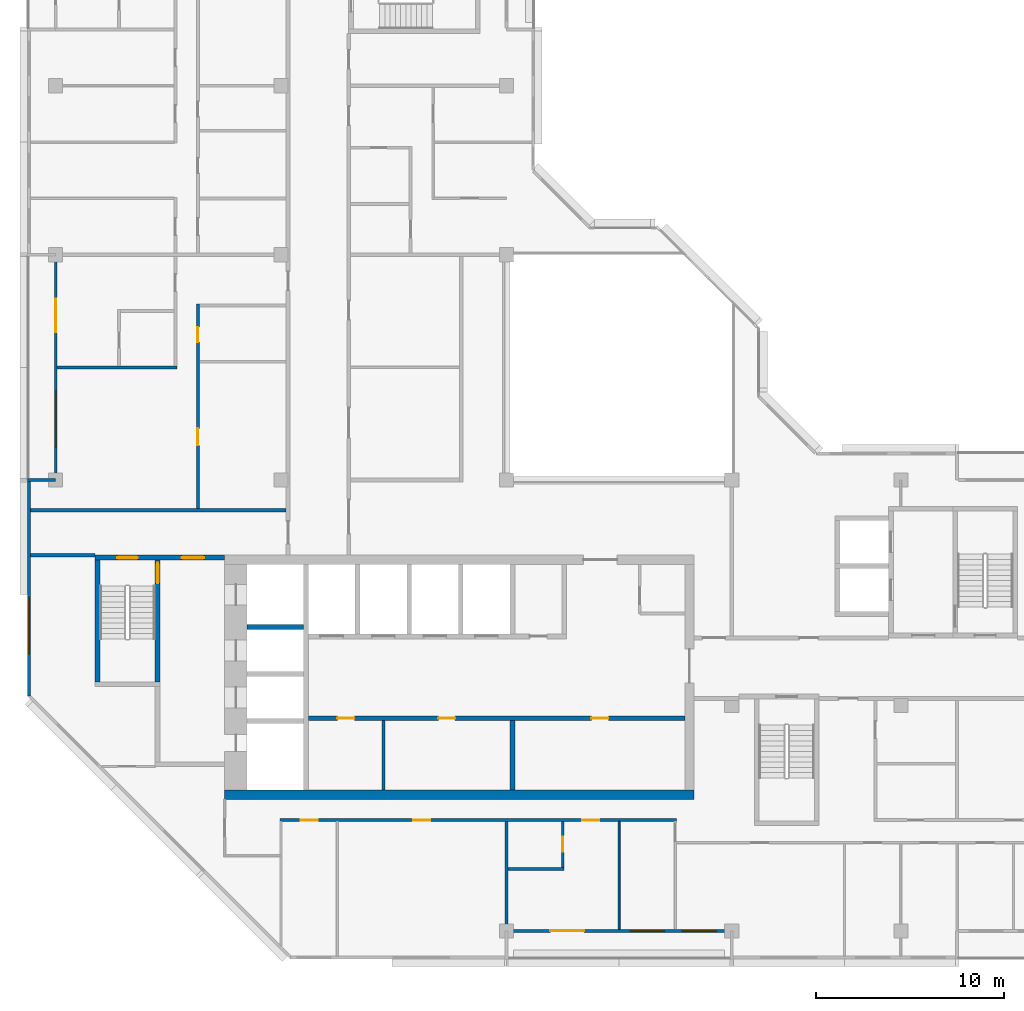
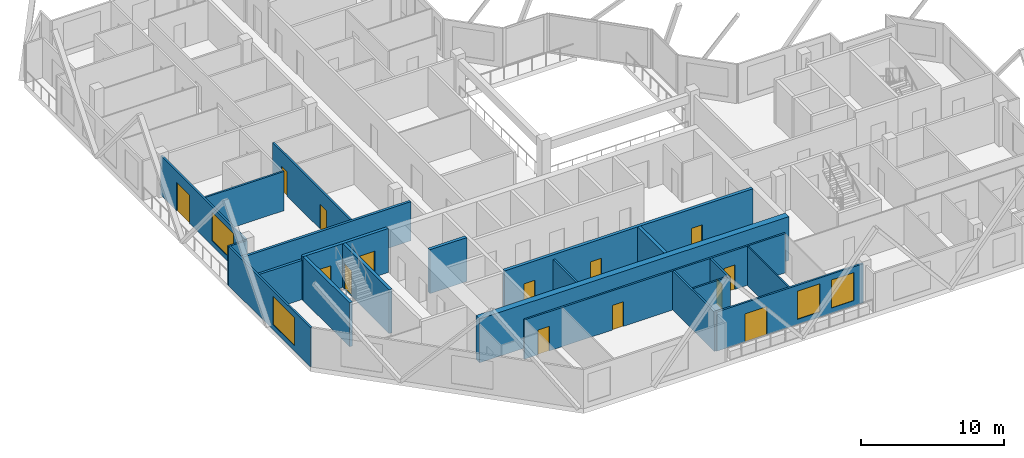
# One storey, part 4 of 12: 21 walls, 14 doors, 4 windows, 18 openings.
"""IFC4 building model written with IfcOpenShell, lengths in metres."""

from ifc_helpers import new_model, si_unit, direction, frame, frame_2d, origin, place, context, subcontext, project, spatial, rectangle, extrude, material, layer, layer_set, type_object, element, fill, save


model = new_model("IFC4")

# Units and contexts
model_context = context("Model", 3, precision=1e-05, world=origin(), true_north=direction((0.0, 1.0)))
body_context = subcontext(model_context, "Body", "Model", "MODEL_VIEW")
ifc_project = project(units=[si_unit("LENGTHUNIT", "METRE"), si_unit("AREAUNIT", "SQUARE_METRE"), si_unit("VOLUMEUNIT", "CUBIC_METRE"), si_unit("PLANEANGLEUNIT", "RADIAN"), si_unit("MASSUNIT", "GRAM", prefix="KILO")], contexts=[model_context])

# Site, building, storey
site_placement = place(None, origin())
site = spatial("IfcSite", under=ifc_project, at=site_placement, CompositionType="ELEMENT")
building_placement = place(site_placement, origin())
building = spatial("IfcBuilding", under=site, at=building_placement, Name="Chenar Terraces", CompositionType="ELEMENT")
storey_placement = place(building_placement, frame((0.0, 0.0, 338.89990234375)))
storey = spatial("IfcBuildingStorey", under=building, at=storey_placement, Name="L78", CompositionType="ELEMENT", Elevation=338.89990234375)

# Wall
ifc_material_1 = material(Name="Gypsum board on steel studs", Category="steel")
ifc_layer_1 = layer(ifc_material_1, 0.14990234375)
ifc_layer_set_1 = layer_set([ifc_layer_1], Name="Gypsum board on steel studs")
wall_type_1 = type_object("IfcWallType", Name="Core partition 150 gypsum board", PredefinedType="PARTITIONING", material=ifc_layer_set_1)
wall_1_placement = place(storey_placement, frame((17.449951171875, 7.5, 0.0), z_axis=(0.0, 0.0, 1.0), x_axis=(0.0, 1.0, 0.0)))
element("IfcWall", 1, at=wall_1_placement, inside=storey, type_object=wall_type_1, Name="Core partition CP1 freed bay wall", PredefinedType="PARTITIONING", context=body_context, shape_type="SweptSolid", body=[
    extrude(rectangle(XDim=3.699951171875, YDim=0.14990234375, at=frame_2d((1.85009765625, 0.0))), origin(), (0.0, 0.0, 1.0), 3.35009765625),
])

# Wall, openings, doors
ifc_material_2 = material(Name="Concrete C50/60", Category="concrete")
ifc_layer_2 = layer(ifc_material_2, 0.25)
ifc_layer_set_2 = layer_set([ifc_layer_2], Name="Concrete C50/60")
wall_type_2 = type_object("IfcWallType", Name="Core wall 250 Concrete C50/60", PredefinedType="SHEAR", material=ifc_layer_set_2)
wall_2_placement = place(storey_placement, frame((13.449951171875, 11.324951171875, 0.0), z_axis=(0.0, 0.0, 1.0), x_axis=(1.0, 0.0, 0.0)))
wall_2 = element("IfcWall", 2, at=wall_2_placement, inside=storey, type_object=wall_type_2, Name="Core wall SF L78", PredefinedType="SHEAR", context=body_context, shape_type="SweptSolid", body=[
    extrude(rectangle(XDim=20.050048828125, YDim=0.25, at=frame_2d((10.02490234375, 0.0))), origin(), (0.0, 0.0, 1.0), 3.75),
])
opening_1_placement = place(wall_2_placement, frame((1.550048828125, 0.0, 0.0)))
opening_1 = element("IfcOpeningElement", 3, at=opening_1_placement, cuts=wall_2, Name="Opening DL78-C12", PredefinedType="OPENING", context=body_context, shape_type="SweptSolid", body=[
    extrude(rectangle(XDim=0.89990234375, YDim=2.10009765625, at=frame_2d((0.449951171875, 1.050048828125))), frame((0.0, 0.135009765625, 0.0), z_axis=(0.0, -1.0, 0.0), x_axis=(1.0, 0.0, 0.0)), (0.0, 0.0, 1.0), 0.27001953125),
])
opening_2_placement = place(wall_2_placement, frame((6.925048828125, 0.0, 0.0)))
opening_2 = element("IfcOpeningElement", 4, at=opening_2_placement, cuts=wall_2, Name="Opening DL78-C13", PredefinedType="OPENING", context=body_context, shape_type="SweptSolid", body=[
    extrude(rectangle(XDim=0.89990234375, YDim=2.10009765625, at=frame_2d((0.449951171875, 1.050048828125))), frame((0.0, 0.135009765625, 0.0), z_axis=(0.0, -1.0, 0.0), x_axis=(1.0, 0.0, 0.0)), (0.0, 0.0, 1.0), 0.27001953125),
])
opening_3_placement = place(wall_2_placement, frame((15.074951171875, 0.0, 0.0)))
opening_3 = element("IfcOpeningElement", 5, at=opening_3_placement, cuts=wall_2, Name="Opening DL78-C14", PredefinedType="OPENING", context=body_context, shape_type="SweptSolid", body=[
    extrude(rectangle(XDim=0.89990234375, YDim=2.10009765625, at=frame_2d((0.449951171875, 1.050048828125))), frame((0.0, 0.135009765625, 0.0), z_axis=(0.0, -1.0, 0.0), x_axis=(1.0, 0.0, 0.0)), (0.0, 0.0, 1.0), 0.27001953125),
])
ifc_material_3 = material(Name="Steel-framed fire-resisting door leaf", Category="steel")
door_type_1 = type_object("IfcDoorType", Name="Riser fire door FD60 900 x 2100", OperationType="SINGLE_SWING_LEFT", PredefinedType="DOOR", material=ifc_material_3)
door_1_placement = place(opening_1_placement, frame((0.89990234375, 0.0, 0.0), z_axis=(0.0, 0.0, 1.0), x_axis=(-1.0, 0.0, 0.0)))
door_1 = element("IfcDoor", 6, at=door_1_placement, inside=storey, type_object=door_type_1, Name="Core room door DL78-C12", OperationType="SINGLE_SWING_LEFT", OverallHeight=2.10009765625, OverallWidth=0.89990234375, PredefinedType="DOOR", context=body_context, shape_type="SweptSolid", body=[
    extrude(rectangle(XDim=0.89990234375, YDim=2.10009765625, at=frame_2d((0.449951171875, 1.050048828125))), frame((0.0, 0.02490234375, 0.0), z_axis=(0.0, -1.0, 0.0), x_axis=(1.0, 0.0, 0.0)), (0.0, 0.0, 1.0), 0.050048828125),
])
fill(opening_1, door_1)
door_2_placement = place(opening_2_placement, frame((0.89990234375, 0.0, 0.0), z_axis=(0.0, 0.0, 1.0), x_axis=(-1.0, 0.0, 0.0)))
door_2 = element("IfcDoor", 7, at=door_2_placement, inside=storey, type_object=door_type_1, Name="Core room door DL78-C13", OperationType="SINGLE_SWING_RIGHT", OverallHeight=2.10009765625, OverallWidth=0.89990234375, PredefinedType="DOOR", context=body_context, shape_type="SweptSolid", body=[
    extrude(rectangle(XDim=0.89990234375, YDim=2.10009765625, at=frame_2d((0.449951171875, 1.050048828125))), frame((0.0, 0.02490234375, 0.0), z_axis=(0.0, -1.0, 0.0), x_axis=(1.0, 0.0, 0.0)), (0.0, 0.0, 1.0), 0.050048828125),
])
fill(opening_2, door_2)
door_3_placement = place(opening_3_placement, frame((0.89990234375, 0.0, 0.0), z_axis=(0.0, 0.0, 1.0), x_axis=(-1.0, 0.0, 0.0)))
door_3 = element("IfcDoor", 8, at=door_3_placement, inside=storey, type_object=door_type_1, Name="Core room door DL78-C14", OperationType="SINGLE_SWING_RIGHT", OverallHeight=2.10009765625, OverallWidth=0.89990234375, PredefinedType="DOOR", context=body_context, shape_type="SweptSolid", body=[
    extrude(rectangle(XDim=0.89990234375, YDim=2.10009765625, at=frame_2d((0.449951171875, 1.050048828125))), frame((0.0, 0.02490234375, 0.0), z_axis=(0.0, -1.0, 0.0), x_axis=(1.0, 0.0, 0.0)), (0.0, 0.0, 1.0), 0.050048828125),
])
fill(opening_3, door_3)

# Walls
wall_3_placement = place(storey_placement, frame((10.199951171875, 16.175048828125, 0.0), z_axis=(0.0, 0.0, 1.0), x_axis=(1.0, 0.0, 0.0)))
element("IfcWall", 9, at=wall_3_placement, inside=storey, type_object=wall_type_2, Name="Core wall HW2 L78", PredefinedType="SHEAR", context=body_context, shape_type="SweptSolid", body=[
    extrude(rectangle(XDim=3.0, YDim=0.25, at=frame_2d((1.5, 0.0))), origin(), (0.0, 0.0, 1.0), 3.75),
])
wall_4_placement = place(storey_placement, frame((24.324951171875, 7.5, 0.0), z_axis=(0.0, 0.0, 1.0), x_axis=(0.0, 1.0, 0.0)))
element("IfcWall", 10, at=wall_4_placement, inside=storey, type_object=wall_type_2, Name="Core wall SS3 L78", PredefinedType="SHEAR", context=body_context, shape_type="SweptSolid", body=[
    extrude(rectangle(XDim=3.699951171875, YDim=0.25, at=frame_2d((1.85009765625, 0.0))), origin(), (0.0, 0.0, 1.0), 3.75),
])

# Wall, openings, doors
wall_5_placement = place(storey_placement, frame((2.10009765625, 19.875, 0.0), z_axis=(0.0, 0.0, 1.0), x_axis=(1.0, 0.0, 0.0)))
wall_5 = element("IfcWall", 11, at=wall_5_placement, inside=storey, type_object=wall_type_2, Name="Core wall A_N L78", PredefinedType="SHEAR", context=body_context, shape_type="SweptSolid", body=[
    extrude(rectangle(XDim=6.89990234375, YDim=0.25, at=frame_2d((3.449951171875, 0.0))), origin(), (0.0, 0.0, 1.0), 3.75),
])
opening_4_placement = place(wall_5_placement, frame((1.175048828125, 0.0, 0.0)))
opening_4 = element("IfcOpeningElement", 12, at=opening_4_placement, cuts=wall_5, Name="Opening DL78-C5", PredefinedType="OPENING", context=body_context, shape_type="SweptSolid", body=[
    extrude(rectangle(XDim=1.10009765625, YDim=2.199951171875, at=frame_2d((0.550048828125, 1.10009765625))), frame((0.0, 0.135009765625, 0.0), z_axis=(0.0, -1.0, 0.0), x_axis=(1.0, 0.0, 0.0)), (0.0, 0.0, 1.0), 0.27001953125),
])
opening_5_placement = place(wall_5_placement, frame((4.60009765625, 0.0, 0.0)))
opening_5 = element("IfcOpeningElement", 13, at=opening_5_placement, cuts=wall_5, Name="Opening DL78-C6", PredefinedType="OPENING", context=body_context, shape_type="SweptSolid", body=[
    extrude(rectangle(XDim=1.199951171875, YDim=2.199951171875, at=frame_2d((0.60009765625, 1.10009765625))), frame((0.0, 0.135009765625, 0.0), z_axis=(0.0, -1.0, 0.0), x_axis=(1.0, 0.0, 0.0)), (0.0, 0.0, 1.0), 0.27001953125),
])
ifc_material_4 = material(Name="Steel-framed fire-resisting door leaf", Category="steel")
door_type_2 = type_object("IfcDoorType", Name="Lobby fire door FD60 1200 x 2200", OperationType="SINGLE_SWING_LEFT", PredefinedType="DOOR", material=ifc_material_4)
door_4_placement = place(opening_5_placement, frame((1.199951171875, 0.0, 0.0), z_axis=(0.0, 0.0, 1.0), x_axis=(-1.0, 0.0, 0.0)))
door_4 = element("IfcDoor", 14, at=door_4_placement, inside=storey, type_object=door_type_2, Name="Core door DL78-C6", OperationType="SINGLE_SWING_LEFT", OverallHeight=2.199951171875, OverallWidth=1.199951171875, PredefinedType="DOOR", context=body_context, shape_type="SweptSolid", body=[
    extrude(rectangle(XDim=1.199951171875, YDim=2.199951171875, at=frame_2d((0.60009765625, 1.10009765625))), frame((0.0, 0.02490234375, 0.0), z_axis=(0.0, -1.0, 0.0), x_axis=(1.0, 0.0, 0.0)), (0.0, 0.0, 1.0), 0.050048828125),
])
fill(opening_5, door_4)
ifc_material_5 = material(Name="Steel-framed fire-resisting door leaf", Category="steel")
door_type_3 = type_object("IfcDoorType", Name="Stair fire door FD60 1100 x 2200", OperationType="SINGLE_SWING_LEFT", PredefinedType="DOOR", material=ifc_material_5)
door_5_placement = place(opening_4_placement, origin())
door_5 = element("IfcDoor", 15, at=door_5_placement, inside=storey, type_object=door_type_3, Name="Stair door DL78-C5", OperationType="SINGLE_SWING_LEFT", OverallHeight=2.199951171875, OverallWidth=1.10009765625, PredefinedType="DOOR", context=body_context, shape_type="SweptSolid", body=[
    extrude(rectangle(XDim=1.10009765625, YDim=2.199951171875, at=frame_2d((0.550048828125, 1.10009765625))), frame((0.0, 0.02490234375, 0.0), z_axis=(0.0, -1.0, 0.0), x_axis=(1.0, 0.0, 0.0)), (0.0, 0.0, 1.0), 0.050048828125),
])
fill(opening_4, door_5)

# Wall
wall_6_placement = place(storey_placement, frame((2.22509765625, 13.25, 0.0), z_axis=(0.0, 0.0, 1.0), x_axis=(0.0, 1.0, 0.0)))
element("IfcWall", 16, at=wall_6_placement, inside=storey, type_object=wall_type_2, Name="Core wall ST1_W L78", PredefinedType="SHEAR", context=body_context, shape_type="SweptSolid", body=[
    extrude(rectangle(XDim=6.5, YDim=0.25, at=frame_2d((3.25, 0.0))), origin(), (0.0, 0.0, 1.0), 3.75),
])

# Wall, opening, door
wall_7_placement = place(storey_placement, frame((5.425048828125, 13.25, 0.0), z_axis=(0.0, 0.0, 1.0), x_axis=(0.0, 1.0, 0.0)))
wall_7 = element("IfcWall", 17, at=wall_7_placement, inside=storey, type_object=wall_type_2, Name="Core wall ST1_E L78", PredefinedType="SHEAR", context=body_context, shape_type="SweptSolid", body=[
    extrude(rectangle(XDim=6.5, YDim=0.25, at=frame_2d((3.25, 0.0))), origin(), (0.0, 0.0, 1.0), 3.75),
])
opening_6_placement = place(wall_7_placement, frame((5.25, 0.0, 0.0)))
opening_6 = element("IfcOpeningElement", 18, at=opening_6_placement, cuts=wall_7, Name="Opening DL78-C3", PredefinedType="OPENING", context=body_context, shape_type="SweptSolid", body=[
    extrude(rectangle(XDim=1.10009765625, YDim=2.199951171875, at=frame_2d((0.550048828125, 1.10009765625))), frame((0.0, 0.135009765625, 0.0), z_axis=(0.0, -1.0, 0.0), x_axis=(1.0, 0.0, 0.0)), (0.0, 0.0, 1.0), 0.27001953125),
])
door_6_placement = place(opening_6_placement, origin())
door_6 = element("IfcDoor", 19, at=door_6_placement, inside=storey, type_object=door_type_3, Name="Stair door DL78-C3", OperationType="SINGLE_SWING_RIGHT", OverallHeight=2.199951171875, OverallWidth=1.10009765625, PredefinedType="DOOR", context=body_context, shape_type="SweptSolid", body=[
    extrude(rectangle(XDim=1.10009765625, YDim=2.199951171875, at=frame_2d((0.550048828125, 1.10009765625))), frame((0.0, 0.02490234375, 0.0), z_axis=(0.0, -1.0, 0.0), x_axis=(1.0, 0.0, 0.0)), (0.0, 0.0, 1.0), 0.050048828125),
])
fill(opening_6, door_6)

# Walls
ifc_material_6 = material(Name="Concrete C50/60", Category="concrete")
ifc_layer_3 = layer(ifc_material_6, 0.5)
ifc_layer_set_3 = layer_set([ifc_layer_3], Name="Concrete C50/60")
wall_type_3 = type_object("IfcWallType", Name="Core wall 500 Concrete C50/60", PredefinedType="SHEAR", material=ifc_layer_set_3)
wall_8_placement = place(storey_placement, frame((9.0, 7.25, 0.0), z_axis=(0.0, 0.0, 1.0), x_axis=(1.0, 0.0, 0.0)))
element("IfcWall", 20, at=wall_8_placement, inside=storey, type_object=wall_type_3, Name="Core wall S L78", PredefinedType="SHEAR", context=body_context, shape_type="SweptSolid", body=[
    extrude(rectangle(XDim=25.0, YDim=0.5, at=frame_2d((12.5, 0.0))), origin(), (0.0, 0.0, 1.0), 3.75),
])
ifc_material_7 = material(Name="Gypsum board on steel studs with fire boards", Category="steel")
ifc_layer_4 = layer(ifc_material_7, 0.199951171875)
ifc_layer_set_4 = layer_set([ifc_layer_4], Name="Gypsum board on steel studs with fire boards")
wall_type_4 = type_object("IfcWallType", Name="Corridor wall 200", PredefinedType="PARTITIONING", material=ifc_layer_set_4)
wall_9_placement = place(storey_placement, frame((-1.35009765625, 20.0, 0.0), z_axis=(0.0, 0.0, 1.0), x_axis=(1.0, 0.0, 0.0)))
element("IfcWall", 21, at=wall_9_placement, inside=storey, type_object=wall_type_4, Name="Partition L78-001", PredefinedType="PARTITIONING", context=body_context, shape_type="SweptSolid", body=[
    extrude(rectangle(XDim=3.4501953125, YDim=0.199951171875, at=frame_2d((1.72509765625, 0.0))), origin(), (0.0, 0.0, 1.0), 3.35009765625),
])
wall_10_placement = place(storey_placement, frame((-1.35009765625, 22.39990234375, 0.0), z_axis=(0.0, 0.0, 1.0), x_axis=(1.0, 0.0, 0.0)))
element("IfcWall", 22, at=wall_10_placement, inside=storey, type_object=wall_type_4, Name="Partition L78-002", PredefinedType="PARTITIONING", context=body_context, shape_type="SweptSolid", body=[
    extrude(rectangle(XDim=13.625, YDim=0.199951171875, at=frame_2d((6.8125, 0.0))), origin(), (0.0, 0.0, 1.0), 3.35009765625),
])

# Wall, opening, window
ifc_material_8 = material(Name="Aluminium framed glazing", Category="aluminium")
ifc_layer_5 = layer(ifc_material_8, 0.14990234375)
ifc_layer_set_5 = layer_set([ifc_layer_5], Name="Aluminium framed glazing")
wall_type_5 = type_object("IfcWallType", Name="Glazed flush facade wall 150", PredefinedType="SOLIDWALL", material=ifc_layer_set_5)
wall_11_placement = place(storey_placement, frame((-1.425048828125, 23.925048828125, 0.0), z_axis=(0.0, 0.0, 1.0), x_axis=(0.0, -1.0, 0.0)))
wall_11 = element("IfcWall", 23, at=wall_11_placement, inside=storey, type_object=wall_type_5, Name="Glazed flush facade wall", PredefinedType="SOLIDWALL", context=body_context, shape_type="SweptSolid", body=[
    extrude(rectangle(XDim=11.425048828125, YDim=0.14990234375, at=frame_2d((5.71240234375, 0.0))), origin(), (0.0, 0.0, 1.0), 3.35009765625),
])
opening_7_placement = place(wall_11_placement, frame((6.175048828125, 0.0, 0.449951171875)))
opening_7 = element("IfcOpeningElement", 24, at=opening_7_placement, cuts=wall_11, Name="Opening W300x240", PredefinedType="OPENING", context=body_context, shape_type="SweptSolid", body=[
    extrude(rectangle(XDim=3.0, YDim=2.39990234375, at=frame_2d((1.5, 1.199951171875))), frame((0.0, 0.0849609375, 0.0), z_axis=(0.0, -1.0, 0.0), x_axis=(1.0, 0.0, 0.0)), (0.0, 0.0, 1.0), 0.169921875),
])
ifc_material_9 = material(Name="Low emissivity double glazing, aluminium frame", Category="aluminium")
window_type_1 = type_object("IfcWindowType", Name="Fixed light 3000 x 2400", PartitioningType="SINGLE_PANEL", PredefinedType="WINDOW", material=ifc_material_9)
window_1_placement = place(opening_7_placement, origin())
window_1 = element("IfcWindow", 25, at=window_1_placement, inside=storey, type_object=window_type_1, Name="Window", OverallHeight=2.39990234375, OverallWidth=3.0, PartitioningType="SINGLE_PANEL", PredefinedType="WINDOW", context=body_context, shape_type="SweptSolid", body=[
    extrude(rectangle(XDim=3.0, YDim=2.39990234375, at=frame_2d((1.5, 1.199951171875))), frame((0.0, 0.030029296875, 0.0), z_axis=(0.0, -1.0, 0.0), x_axis=(1.0, 0.0, 0.0)), (0.0, 0.0, 1.0), 0.06005859375),
])
fill(opening_7, window_1)

# Wall, openings, window, door
ifc_material_10 = material(Name="Aluminium framed glazing", Category="aluminium")
ifc_layer_6 = layer(ifc_material_10, 0.14990234375)
ifc_layer_set_6 = layer_set([ifc_layer_6], Name="Aluminium framed glazing")
wall_type_6 = type_object("IfcWallType", Name="Glazed loggia back wall 150", PredefinedType="SOLIDWALL", material=ifc_layer_set_6)
wall_12_placement = place(storey_placement, frame((0.0, 35.925048828125, 0.0), z_axis=(0.0, 0.0, 1.0), x_axis=(0.0, -1.0, 0.0)))
wall_12 = element("IfcWall", 26, at=wall_12_placement, inside=storey, type_object=wall_type_6, Name="Glazed loggia back wall", PredefinedType="SOLIDWALL", context=body_context, shape_type="SweptSolid", body=[
    extrude(rectangle(XDim=11.85009765625, YDim=0.14990234375, at=frame_2d((5.925048828125, 0.0))), origin(), (0.0, 0.0, 1.0), 3.35009765625),
])
opening_8_placement = place(wall_12_placement, frame((2.262451171875, 0.0, 0.0)))
opening_8 = element("IfcOpeningElement", 27, at=opening_8_placement, cuts=wall_12, Name="Opening DL78-G3", PredefinedType="OPENING", context=body_context, shape_type="SweptSolid", body=[
    extrude(rectangle(XDim=1.800048828125, YDim=2.39990234375, at=frame_2d((0.89990234375, 1.199951171875))), frame((0.0, 0.0849609375, 0.0), z_axis=(0.0, -1.0, 0.0), x_axis=(1.0, 0.0, 0.0)), (0.0, 0.0, 1.0), 0.169921875),
])
opening_9_placement = place(wall_12_placement, frame((7.1875, 0.0, 0.449951171875)))
opening_9 = element("IfcOpeningElement", 28, at=opening_9_placement, cuts=wall_12, Name="Opening W300x240", PredefinedType="OPENING", context=body_context, shape_type="SweptSolid", body=[
    extrude(rectangle(XDim=3.0, YDim=2.39990234375, at=frame_2d((1.5, 1.199951171875))), frame((0.0, 0.0849609375, 0.0), z_axis=(0.0, -1.0, 0.0), x_axis=(1.0, 0.0, 0.0)), (0.0, 0.0, 1.0), 0.169921875),
])
window_2_placement = place(opening_9_placement, origin())
window_2 = element("IfcWindow", 29, at=window_2_placement, inside=storey, type_object=window_type_1, Name="Window", OverallHeight=2.39990234375, OverallWidth=3.0, PartitioningType="SINGLE_PANEL", PredefinedType="WINDOW", context=body_context, shape_type="SweptSolid", body=[
    extrude(rectangle(XDim=3.0, YDim=2.39990234375, at=frame_2d((1.5, 1.199951171875))), frame((0.0, 0.030029296875, 0.0), z_axis=(0.0, -1.0, 0.0), x_axis=(1.0, 0.0, 0.0)), (0.0, 0.0, 1.0), 0.06005859375),
])
fill(opening_9, window_2)
ifc_material_11 = material(Name="Low emissivity double glazing, aluminium frame", Category="aluminium")
door_type_4 = type_object("IfcDoorType", Name="Loggia glazed double door 1800 x 2400", OperationType="DOUBLE_DOOR_SINGLE_SWING", PredefinedType="DOOR", material=ifc_material_11)
door_7_placement = place(opening_8_placement, frame((1.800048828125, 0.0, 0.0), z_axis=(0.0, 0.0, 1.0), x_axis=(-1.0, 0.0, 0.0)))
door_7 = element("IfcDoor", 30, at=door_7_placement, inside=storey, type_object=door_type_4, Name="Loggia glazed door", OperationType="DOUBLE_DOOR_SINGLE_SWING", OverallHeight=2.39990234375, OverallWidth=1.800048828125, PredefinedType="DOOR", context=body_context, shape_type="SweptSolid", body=[
    extrude(rectangle(XDim=1.800048828125, YDim=2.39990234375, at=frame_2d((0.89990234375, 1.199951171875))), frame((0.0, 0.02490234375, 0.0), z_axis=(0.0, -1.0, 0.0), x_axis=(1.0, 0.0, 0.0)), (0.0, 0.0, 1.0), 0.050048828125),
])
fill(opening_8, door_7)

# Wall, openings, windows, door
wall_13_placement = place(storey_placement, frame((24.074951171875, 0.0, 0.0), z_axis=(0.0, 0.0, 1.0), x_axis=(1.0, 0.0, 0.0)))
wall_13 = element("IfcWall", 31, at=wall_13_placement, inside=storey, type_object=wall_type_6, Name="Glazed loggia back wall", PredefinedType="SOLIDWALL", context=body_context, shape_type="SweptSolid", body=[
    extrude(rectangle(XDim=11.85009765625, YDim=0.14990234375, at=frame_2d((5.925048828125, 0.0))), origin(), (0.0, 0.0, 1.0), 3.35009765625),
])
opening_10_placement = place(wall_13_placement, frame((2.262451171875, 0.0, 0.0)))
opening_10 = element("IfcOpeningElement", 32, at=opening_10_placement, cuts=wall_13, Name="Opening DL78-G4", PredefinedType="OPENING", context=body_context, shape_type="SweptSolid", body=[
    extrude(rectangle(XDim=1.800048828125, YDim=2.39990234375, at=frame_2d((0.89990234375, 1.199951171875))), frame((0.0, 0.0849609375, 0.0), z_axis=(0.0, -1.0, 0.0), x_axis=(1.0, 0.0, 0.0)), (0.0, 0.0, 1.0), 0.169921875),
])
opening_11_placement = place(wall_13_placement, frame((6.52490234375, 0.0, 0.449951171875)))
opening_11 = element("IfcOpeningElement", 33, at=opening_11_placement, cuts=wall_13, Name="Opening W180x240", PredefinedType="OPENING", context=body_context, shape_type="SweptSolid", body=[
    extrude(rectangle(XDim=1.800048828125, YDim=2.39990234375, at=frame_2d((0.89990234375, 1.199951171875))), frame((0.0, 0.0849609375, 0.0), z_axis=(0.0, -1.0, 0.0), x_axis=(1.0, 0.0, 0.0)), (0.0, 0.0, 1.0), 0.169921875),
])
opening_12_placement = place(wall_13_placement, frame((9.28759765625, 0.0, 0.449951171875)))
opening_12 = element("IfcOpeningElement", 34, at=opening_12_placement, cuts=wall_13, Name="Opening W180x240", PredefinedType="OPENING", context=body_context, shape_type="SweptSolid", body=[
    extrude(rectangle(XDim=1.800048828125, YDim=2.39990234375, at=frame_2d((0.89990234375, 1.199951171875))), frame((0.0, 0.0849609375, 0.0), z_axis=(0.0, -1.0, 0.0), x_axis=(1.0, 0.0, 0.0)), (0.0, 0.0, 1.0), 0.169921875),
])
ifc_material_12 = material(Name="Low emissivity double glazing, aluminium frame", Category="aluminium")
window_type_2 = type_object("IfcWindowType", Name="Fixed light 1800 x 2400", PartitioningType="SINGLE_PANEL", PredefinedType="WINDOW", material=ifc_material_12)
window_3_placement = place(opening_11_placement, origin())
window_3 = element("IfcWindow", 35, at=window_3_placement, inside=storey, type_object=window_type_2, Name="Window", OverallHeight=2.39990234375, OverallWidth=1.800048828125, PartitioningType="SINGLE_PANEL", PredefinedType="WINDOW", context=body_context, shape_type="SweptSolid", body=[
    extrude(rectangle(XDim=1.800048828125, YDim=2.39990234375, at=frame_2d((0.89990234375, 1.199951171875))), frame((0.0, 0.030029296875, 0.0), z_axis=(0.0, -1.0, 0.0), x_axis=(1.0, 0.0, 0.0)), (0.0, 0.0, 1.0), 0.06005859375),
])
fill(opening_11, window_3)
window_4_placement = place(opening_12_placement, origin())
window_4 = element("IfcWindow", 36, at=window_4_placement, inside=storey, type_object=window_type_2, Name="Window", OverallHeight=2.39990234375, OverallWidth=1.800048828125, PartitioningType="SINGLE_PANEL", PredefinedType="WINDOW", context=body_context, shape_type="SweptSolid", body=[
    extrude(rectangle(XDim=1.800048828125, YDim=2.39990234375, at=frame_2d((0.89990234375, 1.199951171875))), frame((0.0, 0.030029296875, 0.0), z_axis=(0.0, -1.0, 0.0), x_axis=(1.0, 0.0, 0.0)), (0.0, 0.0, 1.0), 0.06005859375),
])
fill(opening_12, window_4)
door_8_placement = place(opening_10_placement, frame((1.800048828125, 0.0, 0.0), z_axis=(0.0, 0.0, 1.0), x_axis=(-1.0, 0.0, 0.0)))
door_8 = element("IfcDoor", 37, at=door_8_placement, inside=storey, type_object=door_type_4, Name="Loggia glazed door", OperationType="DOUBLE_DOOR_SINGLE_SWING", OverallHeight=2.39990234375, OverallWidth=1.800048828125, PredefinedType="DOOR", context=body_context, shape_type="SweptSolid", body=[
    extrude(rectangle(XDim=1.800048828125, YDim=2.39990234375, at=frame_2d((0.89990234375, 1.199951171875))), frame((0.0, 0.02490234375, 0.0), z_axis=(0.0, -1.0, 0.0), x_axis=(1.0, 0.0, 0.0)), (0.0, 0.0, 1.0), 0.050048828125),
])
fill(opening_10, door_8)

# Walls
ifc_material_13 = material(Name="Gypsum board on steel studs", Category="steel")
ifc_layer_7 = layer(ifc_material_13, 0.10009765625)
ifc_layer_set_7 = layer_set([ifc_layer_7], Name="Gypsum board on steel studs")
wall_type_7 = type_object("IfcWallType", Name="Gypsum partition 100", PredefinedType="PARTITIONING", material=ifc_layer_set_7)
wall_14_placement = place(storey_placement, frame((30.0, 0.073974609375, 0.0), z_axis=(0.0, 0.0, 1.0), x_axis=(0.0, 1.0, 0.0)))
element("IfcWall", 38, at=wall_14_placement, inside=storey, type_object=wall_type_7, Name="Partition L78-047", PredefinedType="PARTITIONING", context=body_context, shape_type="SweptSolid", body=[
    extrude(rectangle(XDim=5.7509765625, YDim=0.10009765625, at=frame_2d((2.87548828125, 0.0))), origin(), (0.0, 0.0, 1.0), 3.35009765625),
])
ifc_material_14 = material(Name="Terracotta cladding on insulated backing", Category="masonry")
ifc_layer_8 = layer(ifc_material_14, 0.14990234375)
ifc_layer_set_8 = layer_set([ifc_layer_8], Name="Terracotta cladding on insulated backing")
wall_type_8 = type_object("IfcWallType", Name="Loggia return wall 150", PredefinedType="SOLIDWALL", material=ifc_layer_set_8)
wall_15_placement = place(storey_placement, frame((-1.5, 24.0, 0.0), z_axis=(0.0, 0.0, 1.0), x_axis=(1.0, 0.0, 0.0)))
element("IfcWall", 39, at=wall_15_placement, inside=storey, type_object=wall_type_8, Name="Loggia return wall", PredefinedType="SOLIDWALL", context=body_context, shape_type="SweptSolid", body=[
    extrude(rectangle(XDim=1.5, YDim=0.14990234375, at=frame_2d((0.75, 0.0))), origin(), (0.0, 0.0, 1.0), 3.35009765625),
])
ifc_material_15 = material(Name="Moisture-resistant gypsum board on steel studs", Category="steel")
ifc_layer_9 = layer(ifc_material_15, 0.14990234375)
ifc_layer_set_9 = layer_set([ifc_layer_9], Name="Moisture-resistant gypsum board on steel studs")
wall_type_9 = type_object("IfcWallType", Name="Wet-room partition 150", PredefinedType="PARTITIONING", material=ifc_layer_set_9)
wall_16_placement = place(storey_placement, frame((0.073974609375, 30.0, 0.0), z_axis=(0.0, 0.0, 1.0), x_axis=(1.0, 0.0, 0.0)))
element("IfcWall", 40, at=wall_16_placement, inside=storey, type_object=wall_type_9, Name="Partition L78-008", PredefinedType="PARTITIONING", context=body_context, shape_type="SweptSolid", body=[
    extrude(rectangle(XDim=6.3759765625, YDim=0.14990234375, at=frame_2d((3.18798828125, 0.0))), origin(), (0.0, 0.0, 1.0), 3.35009765625),
])

# Wall, openings, doors
wall_17_placement = place(storey_placement, frame((7.574951171875, 22.5, 0.0), z_axis=(0.0, 0.0, 1.0), x_axis=(0.0, 1.0, 0.0)))
wall_17 = element("IfcWall", 41, at=wall_17_placement, inside=storey, type_object=wall_type_9, Name="Partition L78-017", PredefinedType="PARTITIONING", context=body_context, shape_type="SweptSolid", body=[
    extrude(rectangle(XDim=10.875, YDim=0.14990234375, at=frame_2d((5.4375, 0.0))), origin(), (0.0, 0.0, 1.0), 3.35009765625),
])
opening_13_placement = place(wall_17_placement, frame((8.85009765625, 0.0, 0.0)))
opening_13 = element("IfcOpeningElement", 42, at=opening_13_placement, cuts=wall_17, Name="Opening DL78-40", PredefinedType="OPENING", context=body_context, shape_type="SweptSolid", body=[
    extrude(rectangle(XDim=0.800048828125, YDim=2.10009765625, at=frame_2d((0.39990234375, 1.050048828125))), frame((0.0, 0.0849609375, 0.0), z_axis=(0.0, -1.0, 0.0), x_axis=(1.0, 0.0, 0.0)), (0.0, 0.0, 1.0), 0.169921875),
])
opening_14_placement = place(wall_17_placement, frame((3.35009765625, 0.0, 0.0)))
opening_14 = element("IfcOpeningElement", 43, at=opening_14_placement, cuts=wall_17, Name="Opening DL78-43", PredefinedType="OPENING", context=body_context, shape_type="SweptSolid", body=[
    extrude(rectangle(XDim=0.89990234375, YDim=2.10009765625, at=frame_2d((0.449951171875, 1.050048828125))), frame((0.0, 0.0849609375, 0.0), z_axis=(0.0, -1.0, 0.0), x_axis=(1.0, 0.0, 0.0)), (0.0, 0.0, 1.0), 0.169921875),
])
ifc_material_16 = material(Name="Veneered timber door leaf", Category="wood")
door_type_5 = type_object("IfcDoorType", Name="Door 800 x 2100", OperationType="SINGLE_SWING_LEFT", PredefinedType="DOOR", material=ifc_material_16)
door_9_placement = place(opening_13_placement, frame((0.800048828125, 0.0, 0.0), z_axis=(0.0, 0.0, 1.0), x_axis=(-1.0, 0.0, 0.0)))
door_9 = element("IfcDoor", 44, at=door_9_placement, inside=storey, type_object=door_type_5, Name="Door DL78-40", OperationType="SINGLE_SWING_RIGHT", OverallHeight=2.10009765625, OverallWidth=0.800048828125, PredefinedType="DOOR", context=body_context, shape_type="SweptSolid", body=[
    extrude(rectangle(XDim=0.800048828125, YDim=2.10009765625, at=frame_2d((0.39990234375, 1.050048828125))), frame((0.0, 0.02490234375, 0.0), z_axis=(0.0, -1.0, 0.0), x_axis=(1.0, 0.0, 0.0)), (0.0, 0.0, 1.0), 0.050048828125),
])
fill(opening_13, door_9)
ifc_material_17 = material(Name="Veneered timber door leaf", Category="wood")
door_type_6 = type_object("IfcDoorType", Name="Door 900 x 2100", OperationType="SINGLE_SWING_LEFT", PredefinedType="DOOR", material=ifc_material_17)
door_10_placement = place(opening_14_placement, frame((0.89990234375, 0.0, 0.0), z_axis=(0.0, 0.0, 1.0), x_axis=(-1.0, 0.0, 0.0)))
door_10 = element("IfcDoor", 45, at=door_10_placement, inside=storey, type_object=door_type_6, Name="Door DL78-43", OperationType="SINGLE_SWING_LEFT", OverallHeight=2.10009765625, OverallWidth=0.89990234375, PredefinedType="DOOR", context=body_context, shape_type="SweptSolid", body=[
    extrude(rectangle(XDim=0.89990234375, YDim=2.10009765625, at=frame_2d((0.449951171875, 1.050048828125))), frame((0.0, 0.02490234375, 0.0), z_axis=(0.0, -1.0, 0.0), x_axis=(1.0, 0.0, 0.0)), (0.0, 0.0, 1.0), 0.050048828125),
])
fill(opening_14, door_10)

wall_18_placement = place(storey_placement, frame((11.949951171875, 5.89990234375, 0.0), z_axis=(0.0, 0.0, 1.0), x_axis=(1.0, 0.0, 0.0)))
wall_18 = element("IfcWall", 46, at=wall_18_placement, inside=storey, type_object=wall_type_9, Name="Partition L78-027", PredefinedType="PARTITIONING", context=body_context, shape_type="SweptSolid", body=[
    extrude(rectangle(XDim=21.10009765625, YDim=0.14990234375, at=frame_2d((10.550048828125, 0.0))), origin(), (0.0, 0.0, 1.0), 3.35009765625),
])
opening_15_placement = place(wall_18_placement, frame((1.10009765625, 0.0, 0.0)))
opening_15 = element("IfcOpeningElement", 47, at=opening_15_placement, cuts=wall_18, Name="Opening DL78-25", PredefinedType="OPENING", context=body_context, shape_type="SweptSolid", body=[
    extrude(rectangle(XDim=0.89990234375, YDim=2.10009765625, at=frame_2d((0.449951171875, 1.050048828125))), frame((0.0, 0.0849609375, 0.0), z_axis=(0.0, -1.0, 0.0), x_axis=(1.0, 0.0, 0.0)), (0.0, 0.0, 1.0), 0.169921875),
])
opening_16_placement = place(wall_18_placement, frame((16.10009765625, 0.0, 0.0)))
opening_16 = element("IfcOpeningElement", 48, at=opening_16_placement, cuts=wall_18, Name="Opening DL78-33", PredefinedType="OPENING", context=body_context, shape_type="SweptSolid", body=[
    extrude(rectangle(XDim=0.89990234375, YDim=2.10009765625, at=frame_2d((0.449951171875, 1.050048828125))), frame((0.0, 0.0849609375, 0.0), z_axis=(0.0, -1.0, 0.0), x_axis=(1.0, 0.0, 0.0)), (0.0, 0.0, 1.0), 0.169921875),
])
opening_17_placement = place(wall_18_placement, frame((7.10009765625, 0.0, 0.0)))
opening_17 = element("IfcOpeningElement", 49, at=opening_17_placement, cuts=wall_18, Name="Opening DL78-37", PredefinedType="OPENING", context=body_context, shape_type="SweptSolid", body=[
    extrude(rectangle(XDim=0.89990234375, YDim=2.10009765625, at=frame_2d((0.449951171875, 1.050048828125))), frame((0.0, 0.0849609375, 0.0), z_axis=(0.0, -1.0, 0.0), x_axis=(1.0, 0.0, 0.0)), (0.0, 0.0, 1.0), 0.169921875),
])
door_11_placement = place(opening_15_placement, frame((0.89990234375, 0.0, 0.0), z_axis=(0.0, 0.0, 1.0), x_axis=(-1.0, 0.0, 0.0)))
door_11 = element("IfcDoor", 50, at=door_11_placement, inside=storey, type_object=door_type_6, Name="Door DL78-25", OperationType="SINGLE_SWING_RIGHT", OverallHeight=2.10009765625, OverallWidth=0.89990234375, PredefinedType="DOOR", context=body_context, shape_type="SweptSolid", body=[
    extrude(rectangle(XDim=0.89990234375, YDim=2.10009765625, at=frame_2d((0.449951171875, 1.050048828125))), frame((0.0, 0.02490234375, 0.0), z_axis=(0.0, -1.0, 0.0), x_axis=(1.0, 0.0, 0.0)), (0.0, 0.0, 1.0), 0.050048828125),
])
fill(opening_15, door_11)
door_12_placement = place(opening_16_placement, frame((0.89990234375, 0.0, 0.0), z_axis=(0.0, 0.0, 1.0), x_axis=(-1.0, 0.0, 0.0)))
door_12 = element("IfcDoor", 51, at=door_12_placement, inside=storey, type_object=door_type_6, Name="Door DL78-33", OperationType="SINGLE_SWING_RIGHT", OverallHeight=2.10009765625, OverallWidth=0.89990234375, PredefinedType="DOOR", context=body_context, shape_type="SweptSolid", body=[
    extrude(rectangle(XDim=0.89990234375, YDim=2.10009765625, at=frame_2d((0.449951171875, 1.050048828125))), frame((0.0, 0.02490234375, 0.0), z_axis=(0.0, -1.0, 0.0), x_axis=(1.0, 0.0, 0.0)), (0.0, 0.0, 1.0), 0.050048828125),
])
fill(opening_16, door_12)
door_13_placement = place(opening_17_placement, frame((0.89990234375, 0.0, 0.0), z_axis=(0.0, 0.0, 1.0), x_axis=(-1.0, 0.0, 0.0)))
door_13 = element("IfcDoor", 52, at=door_13_placement, inside=storey, type_object=door_type_6, Name="Door DL78-37", OperationType="SINGLE_SWING_RIGHT", OverallHeight=2.10009765625, OverallWidth=0.89990234375, PredefinedType="DOOR", context=body_context, shape_type="SweptSolid", body=[
    extrude(rectangle(XDim=0.89990234375, YDim=2.10009765625, at=frame_2d((0.449951171875, 1.050048828125))), frame((0.0, 0.02490234375, 0.0), z_axis=(0.0, -1.0, 0.0), x_axis=(1.0, 0.0, 0.0)), (0.0, 0.0, 1.0), 0.050048828125),
])
fill(opening_17, door_13)

# Walls
wall_19_placement = place(storey_placement, frame((24.0, 0.0, 0.0), z_axis=(0.0, 0.0, 1.0), x_axis=(0.0, 1.0, 0.0)))
element("IfcWall", 53, at=wall_19_placement, inside=storey, type_object=wall_type_9, Name="Partition L78-044", PredefinedType="PARTITIONING", context=body_context, shape_type="SweptSolid", body=[
    extrude(rectangle(XDim=5.824951171875, YDim=0.14990234375, at=frame_2d((2.91259765625, 0.0))), origin(), (0.0, 0.0, 1.0), 3.35009765625),
])
wall_20_placement = place(storey_placement, frame((24.074951171875, 3.300048828125, 0.0), z_axis=(0.0, 0.0, 1.0), x_axis=(1.0, 0.0, 0.0)))
element("IfcWall", 54, at=wall_20_placement, inside=storey, type_object=wall_type_9, Name="Partition L78-045", PredefinedType="PARTITIONING", context=body_context, shape_type="SweptSolid", body=[
    extrude(rectangle(XDim=3.0, YDim=0.14990234375, at=frame_2d((1.5, 0.0))), origin(), (0.0, 0.0, 1.0), 3.35009765625),
])

# Wall, opening, door
wall_21_placement = place(storey_placement, frame((27.0, 3.375, 0.0), z_axis=(0.0, 0.0, 1.0), x_axis=(0.0, 1.0, 0.0)))
wall_21 = element("IfcWall", 55, at=wall_21_placement, inside=storey, type_object=wall_type_9, Name="Partition L78-046", PredefinedType="PARTITIONING", context=body_context, shape_type="SweptSolid", body=[
    extrude(rectangle(XDim=2.449951171875, YDim=0.14990234375, at=frame_2d((1.22509765625, 0.0))), origin(), (0.0, 0.0, 1.0), 3.35009765625),
])
opening_18_placement = place(wall_21_placement, frame((0.824951171875, 0.0, 0.0)))
opening_18 = element("IfcOpeningElement", 56, at=opening_18_placement, cuts=wall_21, Name="Opening DL78-34", PredefinedType="OPENING", context=body_context, shape_type="SweptSolid", body=[
    extrude(rectangle(XDim=0.800048828125, YDim=2.10009765625, at=frame_2d((0.39990234375, 1.050048828125))), frame((0.0, 0.0849609375, 0.0), z_axis=(0.0, -1.0, 0.0), x_axis=(1.0, 0.0, 0.0)), (0.0, 0.0, 1.0), 0.169921875),
])
door_14_placement = place(opening_18_placement, origin())
door_14 = element("IfcDoor", 57, at=door_14_placement, inside=storey, type_object=door_type_5, Name="Door DL78-34", OperationType="SINGLE_SWING_RIGHT", OverallHeight=2.10009765625, OverallWidth=0.800048828125, PredefinedType="DOOR", context=body_context, shape_type="SweptSolid", body=[
    extrude(rectangle(XDim=0.800048828125, YDim=2.10009765625, at=frame_2d((0.39990234375, 1.050048828125))), frame((0.0, 0.02490234375, 0.0), z_axis=(0.0, -1.0, 0.0), x_axis=(1.0, 0.0, 0.0)), (0.0, 0.0, 1.0), 0.050048828125),
])
fill(opening_18, door_14)

save(model, "model.ifc")
